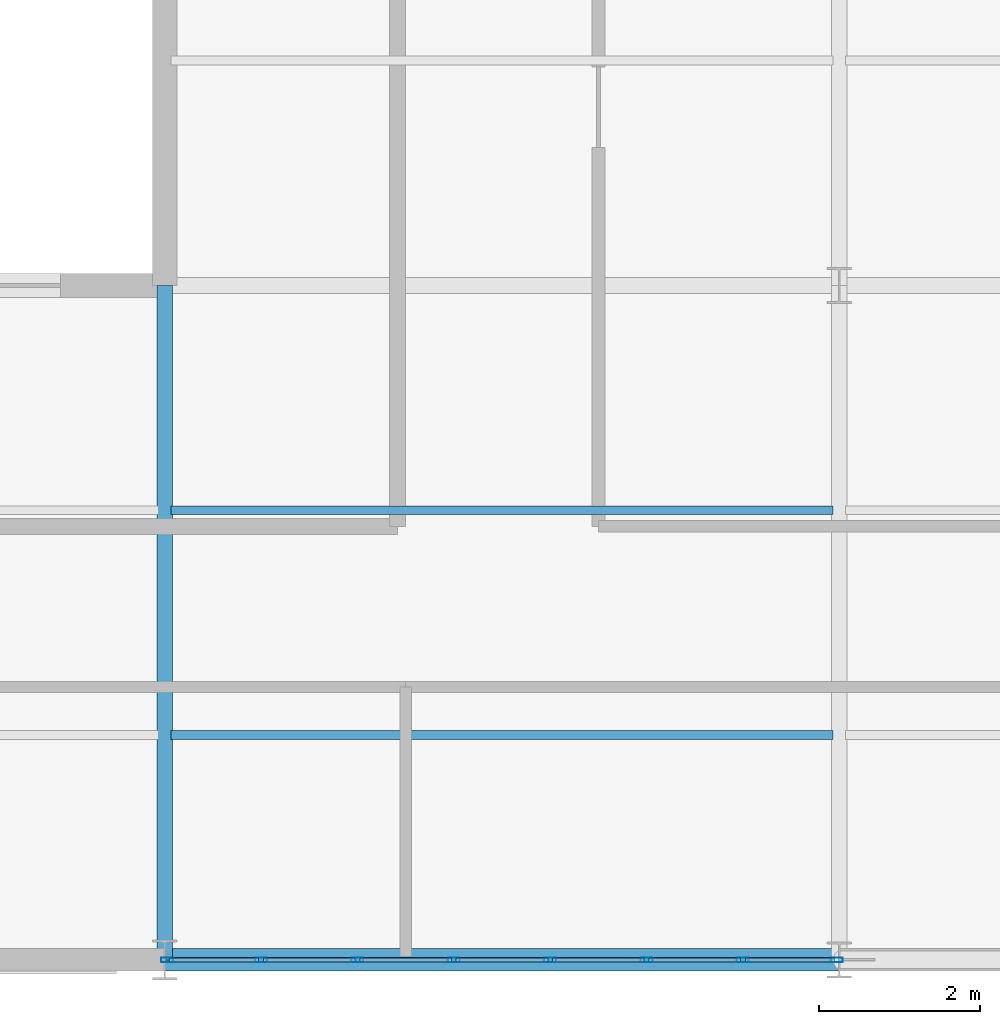
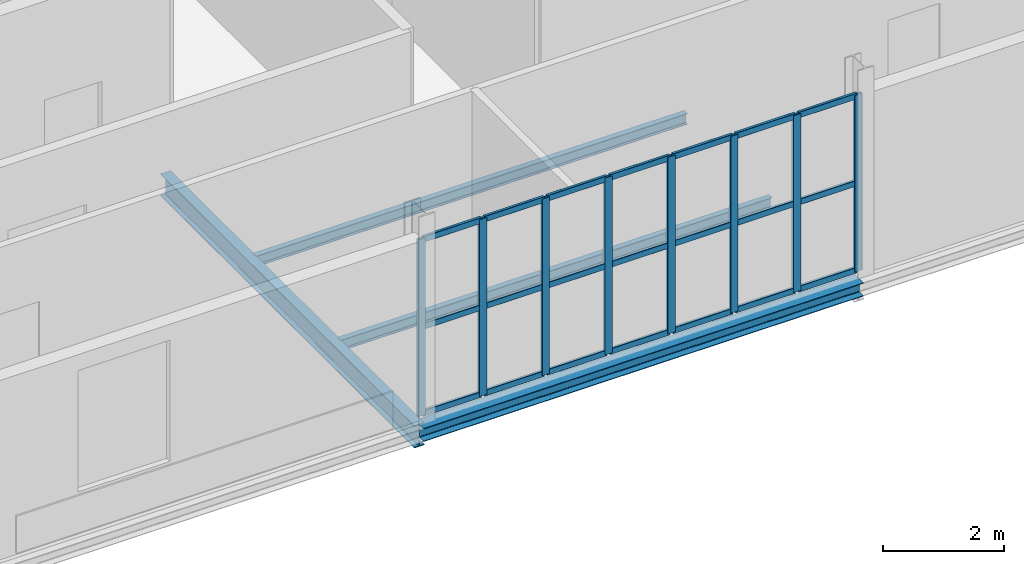
# One storey, part 17 of 65: 29 members, 4 beams, 1 element without a shape of its own.
"""IFC4 building model written with IfcOpenShell, lengths in metres."""

from ifc_helpers import new_model, si_unit, direction, frame, origin, origin_2d, place, context, subcontext, project, spatial, hollow_rectangle, i_section, extrude, material, layer, layer_set, material_profile, profile_set, type_object, element, aggregate, save


model = new_model("IFC4")

# Units and contexts
model_context = context("Model", 3, precision=1e-05, world=origin(), true_north=direction((0.0, 1.0)))
body_context = subcontext(model_context, "Body", "Model", "MODEL_VIEW")
ifc_project = project(units=[si_unit("LENGTHUNIT", "METRE"), si_unit("AREAUNIT", "SQUARE_METRE"), si_unit("VOLUMEUNIT", "CUBIC_METRE"), si_unit("PLANEANGLEUNIT", "RADIAN"), si_unit("MASSUNIT", "GRAM", prefix="KILO")], contexts=[model_context])

# Site, building, storey
site_placement = place(None, origin())
site = spatial("IfcSite", under=ifc_project, at=site_placement, CompositionType="ELEMENT")
building_placement = place(site_placement, origin())
building = spatial("IfcBuilding", under=site, at=building_placement, Name="Qalvenar Corner Mobility Hub", CompositionType="ELEMENT")
storey_placement = place(building_placement, frame((0.0, 0.0, 17.39990234375)))
storey = spatial("IfcBuildingStorey", under=building, at=storey_placement, Name="L04", CompositionType="ELEMENT", Elevation=17.39990234375)

# Beams
ifc_material_1 = material(Name="Steel S355", Category="steel")
ifc_material_profile_1 = material_profile(ifc_material_1, i_section(OverallWidth=0.18994140625, OverallDepth=0.449951171875, WebThickness=0.009521484375, FlangeThickness=0.0146484375, FilletRadius=0.02099609375, at=origin_2d()), Name="IPE450")
ifc_profile_set_1 = profile_set([ifc_material_profile_1], Name="Steel S355")
beam_type_1 = type_object("IfcBeamType", Name="BM-IPE450", PredefinedType="BEAM", material=ifc_profile_set_1)
beam_1_placement = place(storey_placement, frame((16.800048828125, 0.0, -0.40478515625), z_axis=(0.0, 1.0, 0.0), x_axis=(-1.0, 0.0, 0.0)))
element("IfcBeam", 1, at=beam_1_placement, inside=storey, type_object=beam_type_1, Name="Primary Steel Girder GY-2637", PredefinedType="BEAM", context=body_context, shape_type="SweptSolid", body=[
    extrude(i_section(OverallWidth=0.18994140625, OverallDepth=0.449951171875, WebThickness=0.009521484375, FlangeThickness=0.0146484375, FilletRadius=0.02099609375, at=origin_2d()), origin(), (0.0, 0.0, 1.0), 8.39990234375),
])
ifc_material_profile_2 = material_profile(ifc_material_1, i_section(OverallWidth=0.110107421875, OverallDepth=0.219970703125, WebThickness=0.005859375, FlangeThickness=0.00927734375, FilletRadius=0.011962890625, at=origin_2d()), Name="IPE220")
ifc_profile_set_2 = profile_set([ifc_material_profile_2], Name="Steel S355")
beam_type_2 = type_object("IfcBeamType", Name="BM-JST220", PredefinedType="JOIST", material=ifc_profile_set_2)
for number, where, z_axis, x_axis, name in (
    (2, (16.8779296875, 2.800048828125, -0.289794921875), (1.0, 0.0, 0.0), (0.0, 1.0, 0.0), "Composite Floor Joist J-2681"),
    (3, (16.8779296875, 5.60009765625, -0.289794921875), (1.0, 0.0, 0.0), (0.0, 1.0, 0.0), "Composite Floor Joist J-2682"),
):
    element("IfcBeam", number, at=place(storey_placement, frame(where, z_axis=z_axis, x_axis=x_axis)), inside=storey, type_object=beam_type_2, Name=name, PredefinedType="JOIST", context=body_context, shape_type="SweptSolid", body=[
        extrude(i_section(OverallWidth=0.110107421875, OverallDepth=0.219970703125, WebThickness=0.005859375, FlangeThickness=0.00927734375, FilletRadius=0.011962890625, at=origin_2d()), origin(), (0.0, 0.0, 1.0), 8.244140625),
    ])
ifc_material_profile_3 = material_profile(ifc_material_1, i_section(OverallWidth=0.280029296875, OverallDepth=0.27001953125, WebThickness=0.008056640625, FlangeThickness=0.012939453125, FilletRadius=0.02392578125, at=origin_2d()), Name="HEA280")
ifc_profile_set_3 = profile_set([ifc_material_profile_3], Name="Steel S355")
beam_type_3 = type_object("IfcBeamType", Name="BM-SPN280", PredefinedType="SPANDREL", material=ifc_profile_set_3)
beam_2_placement = place(storey_placement, frame((16.800048828125, 0.0, -0.31494140625), z_axis=(1.0, 0.0, 0.0), x_axis=(0.0, 1.0, 0.0)))
element("IfcBeam", 4, at=beam_2_placement, inside=storey, type_object=beam_type_3, Name="Primary Steel Girder GX-2593", PredefinedType="SPANDREL", context=body_context, shape_type="SweptSolid", body=[
    extrude(i_section(OverallWidth=0.280029296875, OverallDepth=0.27001953125, WebThickness=0.008056640625, FlangeThickness=0.012939453125, FilletRadius=0.02392578125, at=origin_2d()), origin(), (0.0, 0.0, 1.0), 8.39990234375),
])

# Curtain wall, members
ifc_material_2 = material(Name="Anodised Aluminium and Low-E Glazing", Category="aluminium")
ifc_layer = layer(ifc_material_2, 0.14990234375)
ifc_layer_set = layer_set([ifc_layer], Name="Anodised Aluminium and Low-E Glazing")
curtain_wall_type = type_object("IfcCurtainWallType", Name="CW-CIV-84X40", PredefinedType="NOTDEFINED", material=ifc_layer_set)
curtain_wall_placement = place(storey_placement, origin())
curtain_wall = element("IfcCurtainWall", 5, at=curtain_wall_placement, inside=storey, type_object=curtain_wall_type, Name="Glazed Curtain Wall CW-V3-L04-S2", PredefinedType="NOTDEFINED")
ifc_material_3 = material(Name="Anodised Aluminium 6063-T6", Category="aluminium")
ifc_material_profile_4 = material_profile(ifc_material_3, hollow_rectangle(XDim=0.06005859375, YDim=0.14990234375, WallThickness=0.00390625, InnerFilletRadius=0.00390625, OuterFilletRadius=0.008056640625, at=origin_2d()), Name="RHS150x60x4")
ifc_profile_set_4 = profile_set([ifc_material_profile_4], Name="Anodised Aluminium 6063-T6")
member_type_1 = type_object("IfcMemberType", Name="CW-MUL150", PredefinedType="MULLION", material=ifc_profile_set_4)
member_1_placement = place(storey_placement, frame((16.830078125, 0.0, 0.0), z_axis=(0.0, 0.0, 1.0), x_axis=(0.0, 1.0, 0.0)))
member_1 = element("IfcMember", 6, at=member_1_placement, type_object=member_type_1, Name="CW-05 mullion 1", PredefinedType="MULLION", context=body_context, shape_type="SweptSolid", body=[
    extrude(hollow_rectangle(XDim=0.06005859375, YDim=0.14990234375, WallThickness=0.00390625, InnerFilletRadius=0.00390625, OuterFilletRadius=0.008056640625, at=origin_2d()), origin(), (0.0, 0.0, 1.0), 3.570068359375),
])
member_2_placement = place(storey_placement, frame((18.0, 0.0, 0.0), z_axis=(0.0, 0.0, 1.0), x_axis=(0.0, 1.0, 0.0)))
member_2 = element("IfcMember", 7, at=member_2_placement, type_object=member_type_1, Name="CW-05 mullion 2", PredefinedType="MULLION", context=body_context, shape_type="SweptSolid", body=[
    extrude(hollow_rectangle(XDim=0.06005859375, YDim=0.14990234375, WallThickness=0.00390625, InnerFilletRadius=0.00390625, OuterFilletRadius=0.008056640625, at=origin_2d()), origin(), (0.0, 0.0, 1.0), 3.570068359375),
])
member_3_placement = place(storey_placement, frame((19.199951171875, 0.0, 0.0), z_axis=(0.0, 0.0, 1.0), x_axis=(0.0, 1.0, 0.0)))
member_3 = element("IfcMember", 8, at=member_3_placement, type_object=member_type_1, Name="CW-05 mullion 3", PredefinedType="MULLION", context=body_context, shape_type="SweptSolid", body=[
    extrude(hollow_rectangle(XDim=0.06005859375, YDim=0.14990234375, WallThickness=0.00390625, InnerFilletRadius=0.00390625, OuterFilletRadius=0.008056640625, at=origin_2d()), origin(), (0.0, 0.0, 1.0), 3.570068359375),
])
member_4_placement = place(storey_placement, frame((20.39990234375, 0.0, 0.0), z_axis=(0.0, 0.0, 1.0), x_axis=(0.0, 1.0, 0.0)))
member_4 = element("IfcMember", 9, at=member_4_placement, type_object=member_type_1, Name="CW-05 mullion 4", PredefinedType="MULLION", context=body_context, shape_type="SweptSolid", body=[
    extrude(hollow_rectangle(XDim=0.06005859375, YDim=0.14990234375, WallThickness=0.00390625, InnerFilletRadius=0.00390625, OuterFilletRadius=0.008056640625, at=origin_2d()), origin(), (0.0, 0.0, 1.0), 3.570068359375),
])
member_5_placement = place(storey_placement, frame((21.60009765625, 0.0, 0.0), z_axis=(0.0, 0.0, 1.0), x_axis=(0.0, 1.0, 0.0)))
member_5 = element("IfcMember", 10, at=member_5_placement, type_object=member_type_1, Name="CW-05 mullion 5", PredefinedType="MULLION", context=body_context, shape_type="SweptSolid", body=[
    extrude(hollow_rectangle(XDim=0.06005859375, YDim=0.14990234375, WallThickness=0.00390625, InnerFilletRadius=0.00390625, OuterFilletRadius=0.008056640625, at=origin_2d()), origin(), (0.0, 0.0, 1.0), 3.570068359375),
])
member_6_placement = place(storey_placement, frame((22.800048828125, 0.0, 0.0), z_axis=(0.0, 0.0, 1.0), x_axis=(0.0, 1.0, 0.0)))
member_6 = element("IfcMember", 11, at=member_6_placement, type_object=member_type_1, Name="CW-05 mullion 6", PredefinedType="MULLION", context=body_context, shape_type="SweptSolid", body=[
    extrude(hollow_rectangle(XDim=0.06005859375, YDim=0.14990234375, WallThickness=0.00390625, InnerFilletRadius=0.00390625, OuterFilletRadius=0.008056640625, at=origin_2d()), origin(), (0.0, 0.0, 1.0), 3.570068359375),
])
member_7_placement = place(storey_placement, frame((24.0, 0.0, 0.0), z_axis=(0.0, 0.0, 1.0), x_axis=(0.0, 1.0, 0.0)))
member_7 = element("IfcMember", 12, at=member_7_placement, type_object=member_type_1, Name="CW-05 mullion 7", PredefinedType="MULLION", context=body_context, shape_type="SweptSolid", body=[
    extrude(hollow_rectangle(XDim=0.06005859375, YDim=0.14990234375, WallThickness=0.00390625, InnerFilletRadius=0.00390625, OuterFilletRadius=0.008056640625, at=origin_2d()), origin(), (0.0, 0.0, 1.0), 3.570068359375),
])
member_8_placement = place(storey_placement, frame((25.169921875, 0.0, 0.0), z_axis=(0.0, 0.0, 1.0), x_axis=(0.0, 1.0, 0.0)))
member_8 = element("IfcMember", 13, at=member_8_placement, type_object=member_type_1, Name="CW-05 mullion 8", PredefinedType="MULLION", context=body_context, shape_type="SweptSolid", body=[
    extrude(hollow_rectangle(XDim=0.06005859375, YDim=0.14990234375, WallThickness=0.00390625, InnerFilletRadius=0.00390625, OuterFilletRadius=0.008056640625, at=origin_2d()), origin(), (0.0, 0.0, 1.0), 3.570068359375),
])
ifc_material_profile_5 = material_profile(ifc_material_3, hollow_rectangle(XDim=0.054931640625, YDim=0.1201171875, WallThickness=0.00341796875, InnerFilletRadius=0.00341796875, OuterFilletRadius=0.007080078125, at=origin_2d()), Name="RHS120x55x3.5")
ifc_profile_set_5 = profile_set([ifc_material_profile_5], Name="Anodised Aluminium 6063-T6")
member_type_2 = type_object("IfcMemberType", Name="CW-TRN120", PredefinedType="USERDEFINED", material=ifc_profile_set_5)
member_9_placement = place(storey_placement, frame((16.860107421875, 0.0, 0.027587890625), z_axis=(1.0, 0.0, 0.0), x_axis=(0.0, 1.0, 0.0)))
member_9 = element("IfcMember", 14, at=member_9_placement, type_object=member_type_2, Name="CW-05 transom 1.1", ObjectType="TRANSOM", PredefinedType="USERDEFINED", context=body_context, shape_type="SweptSolid", body=[
    extrude(hollow_rectangle(XDim=0.054931640625, YDim=0.1201171875, WallThickness=0.00341796875, InnerFilletRadius=0.00341796875, OuterFilletRadius=0.007080078125, at=origin_2d()), origin(), (0.0, 0.0, 1.0), 1.10986328125),
])
member_10_placement = place(storey_placement, frame((16.860107421875, 0.0, 1.78515625), z_axis=(1.0, 0.0, 0.0), x_axis=(0.0, 1.0, 0.0)))
member_10 = element("IfcMember", 15, at=member_10_placement, type_object=member_type_2, Name="CW-05 transom 1.2", ObjectType="TRANSOM", PredefinedType="USERDEFINED", context=body_context, shape_type="SweptSolid", body=[
    extrude(hollow_rectangle(XDim=0.054931640625, YDim=0.1201171875, WallThickness=0.00341796875, InnerFilletRadius=0.00341796875, OuterFilletRadius=0.007080078125, at=origin_2d()), origin(), (0.0, 0.0, 1.0), 1.10986328125),
])
member_11_placement = place(storey_placement, frame((16.860107421875, 0.0, 3.54248046875), z_axis=(1.0, 0.0, 0.0), x_axis=(0.0, 1.0, 0.0)))
member_11 = element("IfcMember", 16, at=member_11_placement, type_object=member_type_2, Name="CW-05 transom 1.3", ObjectType="TRANSOM", PredefinedType="USERDEFINED", context=body_context, shape_type="SweptSolid", body=[
    extrude(hollow_rectangle(XDim=0.054931640625, YDim=0.1201171875, WallThickness=0.00341796875, InnerFilletRadius=0.00341796875, OuterFilletRadius=0.007080078125, at=origin_2d()), origin(), (0.0, 0.0, 1.0), 1.10986328125),
])
member_12_placement = place(storey_placement, frame((18.030029296875, 0.0, 0.027587890625), z_axis=(1.0, 0.0, 0.0), x_axis=(0.0, 1.0, 0.0)))
member_12 = element("IfcMember", 17, at=member_12_placement, type_object=member_type_2, Name="CW-05 transom 2.1", ObjectType="TRANSOM", PredefinedType="USERDEFINED", context=body_context, shape_type="SweptSolid", body=[
    extrude(hollow_rectangle(XDim=0.054931640625, YDim=0.1201171875, WallThickness=0.00341796875, InnerFilletRadius=0.00341796875, OuterFilletRadius=0.007080078125, at=origin_2d()), origin(), (0.0, 0.0, 1.0), 1.139892578125),
])
member_13_placement = place(storey_placement, frame((18.030029296875, 0.0, 1.78515625), z_axis=(1.0, 0.0, 0.0), x_axis=(0.0, 1.0, 0.0)))
member_13 = element("IfcMember", 18, at=member_13_placement, type_object=member_type_2, Name="CW-05 transom 2.2", ObjectType="TRANSOM", PredefinedType="USERDEFINED", context=body_context, shape_type="SweptSolid", body=[
    extrude(hollow_rectangle(XDim=0.054931640625, YDim=0.1201171875, WallThickness=0.00341796875, InnerFilletRadius=0.00341796875, OuterFilletRadius=0.007080078125, at=origin_2d()), origin(), (0.0, 0.0, 1.0), 1.139892578125),
])
member_14_placement = place(storey_placement, frame((18.030029296875, 0.0, 3.54248046875), z_axis=(1.0, 0.0, 0.0), x_axis=(0.0, 1.0, 0.0)))
member_14 = element("IfcMember", 19, at=member_14_placement, type_object=member_type_2, Name="CW-05 transom 2.3", ObjectType="TRANSOM", PredefinedType="USERDEFINED", context=body_context, shape_type="SweptSolid", body=[
    extrude(hollow_rectangle(XDim=0.054931640625, YDim=0.1201171875, WallThickness=0.00341796875, InnerFilletRadius=0.00341796875, OuterFilletRadius=0.007080078125, at=origin_2d()), origin(), (0.0, 0.0, 1.0), 1.139892578125),
])
member_15_placement = place(storey_placement, frame((19.22998046875, 0.0, 0.027587890625), z_axis=(1.0, 0.0, 0.0), x_axis=(0.0, 1.0, 0.0)))
member_15 = element("IfcMember", 20, at=member_15_placement, type_object=member_type_2, Name="CW-05 transom 3.1", ObjectType="TRANSOM", PredefinedType="USERDEFINED", context=body_context, shape_type="SweptSolid", body=[
    extrude(hollow_rectangle(XDim=0.054931640625, YDim=0.1201171875, WallThickness=0.00341796875, InnerFilletRadius=0.00341796875, OuterFilletRadius=0.007080078125, at=origin_2d()), origin(), (0.0, 0.0, 1.0), 1.14013671875),
])
member_16_placement = place(storey_placement, frame((19.22998046875, 0.0, 1.78515625), z_axis=(1.0, 0.0, 0.0), x_axis=(0.0, 1.0, 0.0)))
member_16 = element("IfcMember", 21, at=member_16_placement, type_object=member_type_2, Name="CW-05 transom 3.2", ObjectType="TRANSOM", PredefinedType="USERDEFINED", context=body_context, shape_type="SweptSolid", body=[
    extrude(hollow_rectangle(XDim=0.054931640625, YDim=0.1201171875, WallThickness=0.00341796875, InnerFilletRadius=0.00341796875, OuterFilletRadius=0.007080078125, at=origin_2d()), origin(), (0.0, 0.0, 1.0), 1.14013671875),
])
member_17_placement = place(storey_placement, frame((19.22998046875, 0.0, 3.54248046875), z_axis=(1.0, 0.0, 0.0), x_axis=(0.0, 1.0, 0.0)))
member_17 = element("IfcMember", 22, at=member_17_placement, type_object=member_type_2, Name="CW-05 transom 3.3", ObjectType="TRANSOM", PredefinedType="USERDEFINED", context=body_context, shape_type="SweptSolid", body=[
    extrude(hollow_rectangle(XDim=0.054931640625, YDim=0.1201171875, WallThickness=0.00341796875, InnerFilletRadius=0.00341796875, OuterFilletRadius=0.007080078125, at=origin_2d()), origin(), (0.0, 0.0, 1.0), 1.14013671875),
])
member_18_placement = place(storey_placement, frame((20.429931640625, 0.0, 0.027587890625), z_axis=(1.0, 0.0, 0.0), x_axis=(0.0, 1.0, 0.0)))
member_18 = element("IfcMember", 23, at=member_18_placement, type_object=member_type_2, Name="CW-05 transom 4.1", ObjectType="TRANSOM", PredefinedType="USERDEFINED", context=body_context, shape_type="SweptSolid", body=[
    extrude(hollow_rectangle(XDim=0.054931640625, YDim=0.1201171875, WallThickness=0.00341796875, InnerFilletRadius=0.00341796875, OuterFilletRadius=0.007080078125, at=origin_2d()), origin(), (0.0, 0.0, 1.0), 1.14013671875),
])
member_19_placement = place(storey_placement, frame((20.429931640625, 0.0, 1.78515625), z_axis=(1.0, 0.0, 0.0), x_axis=(0.0, 1.0, 0.0)))
member_19 = element("IfcMember", 24, at=member_19_placement, type_object=member_type_2, Name="CW-05 transom 4.2", ObjectType="TRANSOM", PredefinedType="USERDEFINED", context=body_context, shape_type="SweptSolid", body=[
    extrude(hollow_rectangle(XDim=0.054931640625, YDim=0.1201171875, WallThickness=0.00341796875, InnerFilletRadius=0.00341796875, OuterFilletRadius=0.007080078125, at=origin_2d()), origin(), (0.0, 0.0, 1.0), 1.14013671875),
])
member_20_placement = place(storey_placement, frame((20.429931640625, 0.0, 3.54248046875), z_axis=(1.0, 0.0, 0.0), x_axis=(0.0, 1.0, 0.0)))
member_20 = element("IfcMember", 25, at=member_20_placement, type_object=member_type_2, Name="CW-05 transom 4.3", ObjectType="TRANSOM", PredefinedType="USERDEFINED", context=body_context, shape_type="SweptSolid", body=[
    extrude(hollow_rectangle(XDim=0.054931640625, YDim=0.1201171875, WallThickness=0.00341796875, InnerFilletRadius=0.00341796875, OuterFilletRadius=0.007080078125, at=origin_2d()), origin(), (0.0, 0.0, 1.0), 1.14013671875),
])
member_21_placement = place(storey_placement, frame((21.6298828125, 0.0, 0.027587890625), z_axis=(1.0, 0.0, 0.0), x_axis=(0.0, 1.0, 0.0)))
member_21 = element("IfcMember", 26, at=member_21_placement, type_object=member_type_2, Name="CW-05 transom 5.1", ObjectType="TRANSOM", PredefinedType="USERDEFINED", context=body_context, shape_type="SweptSolid", body=[
    extrude(hollow_rectangle(XDim=0.054931640625, YDim=0.1201171875, WallThickness=0.00341796875, InnerFilletRadius=0.00341796875, OuterFilletRadius=0.007080078125, at=origin_2d()), origin(), (0.0, 0.0, 1.0), 1.14013671875),
])
member_22_placement = place(storey_placement, frame((21.6298828125, 0.0, 1.78515625), z_axis=(1.0, 0.0, 0.0), x_axis=(0.0, 1.0, 0.0)))
member_22 = element("IfcMember", 27, at=member_22_placement, type_object=member_type_2, Name="CW-05 transom 5.2", ObjectType="TRANSOM", PredefinedType="USERDEFINED", context=body_context, shape_type="SweptSolid", body=[
    extrude(hollow_rectangle(XDim=0.054931640625, YDim=0.1201171875, WallThickness=0.00341796875, InnerFilletRadius=0.00341796875, OuterFilletRadius=0.007080078125, at=origin_2d()), origin(), (0.0, 0.0, 1.0), 1.14013671875),
])
member_23_placement = place(storey_placement, frame((21.6298828125, 0.0, 3.54248046875), z_axis=(1.0, 0.0, 0.0), x_axis=(0.0, 1.0, 0.0)))
member_23 = element("IfcMember", 28, at=member_23_placement, type_object=member_type_2, Name="CW-05 transom 5.3", ObjectType="TRANSOM", PredefinedType="USERDEFINED", context=body_context, shape_type="SweptSolid", body=[
    extrude(hollow_rectangle(XDim=0.054931640625, YDim=0.1201171875, WallThickness=0.00341796875, InnerFilletRadius=0.00341796875, OuterFilletRadius=0.007080078125, at=origin_2d()), origin(), (0.0, 0.0, 1.0), 1.14013671875),
])
member_24_placement = place(storey_placement, frame((22.830078125, 0.0, 0.027587890625), z_axis=(1.0, 0.0, 0.0), x_axis=(0.0, 1.0, 0.0)))
member_24 = element("IfcMember", 29, at=member_24_placement, type_object=member_type_2, Name="CW-05 transom 6.1", ObjectType="TRANSOM", PredefinedType="USERDEFINED", context=body_context, shape_type="SweptSolid", body=[
    extrude(hollow_rectangle(XDim=0.054931640625, YDim=0.1201171875, WallThickness=0.00341796875, InnerFilletRadius=0.00341796875, OuterFilletRadius=0.007080078125, at=origin_2d()), origin(), (0.0, 0.0, 1.0), 1.139892578125),
])
member_25_placement = place(storey_placement, frame((22.830078125, 0.0, 1.78515625), z_axis=(1.0, 0.0, 0.0), x_axis=(0.0, 1.0, 0.0)))
member_25 = element("IfcMember", 30, at=member_25_placement, type_object=member_type_2, Name="CW-05 transom 6.2", ObjectType="TRANSOM", PredefinedType="USERDEFINED", context=body_context, shape_type="SweptSolid", body=[
    extrude(hollow_rectangle(XDim=0.054931640625, YDim=0.1201171875, WallThickness=0.00341796875, InnerFilletRadius=0.00341796875, OuterFilletRadius=0.007080078125, at=origin_2d()), origin(), (0.0, 0.0, 1.0), 1.139892578125),
])
member_26_placement = place(storey_placement, frame((22.830078125, 0.0, 3.54248046875), z_axis=(1.0, 0.0, 0.0), x_axis=(0.0, 1.0, 0.0)))
member_26 = element("IfcMember", 31, at=member_26_placement, type_object=member_type_2, Name="CW-05 transom 6.3", ObjectType="TRANSOM", PredefinedType="USERDEFINED", context=body_context, shape_type="SweptSolid", body=[
    extrude(hollow_rectangle(XDim=0.054931640625, YDim=0.1201171875, WallThickness=0.00341796875, InnerFilletRadius=0.00341796875, OuterFilletRadius=0.007080078125, at=origin_2d()), origin(), (0.0, 0.0, 1.0), 1.139892578125),
])
member_27_placement = place(storey_placement, frame((24.030029296875, 0.0, 0.027587890625), z_axis=(1.0, 0.0, 0.0), x_axis=(0.0, 1.0, 0.0)))
member_27 = element("IfcMember", 32, at=member_27_placement, type_object=member_type_2, Name="CW-05 transom 7.1", ObjectType="TRANSOM", PredefinedType="USERDEFINED", context=body_context, shape_type="SweptSolid", body=[
    extrude(hollow_rectangle(XDim=0.054931640625, YDim=0.1201171875, WallThickness=0.00341796875, InnerFilletRadius=0.00341796875, OuterFilletRadius=0.007080078125, at=origin_2d()), origin(), (0.0, 0.0, 1.0), 1.10986328125),
])
member_28_placement = place(storey_placement, frame((24.030029296875, 0.0, 1.78515625), z_axis=(1.0, 0.0, 0.0), x_axis=(0.0, 1.0, 0.0)))
member_28 = element("IfcMember", 33, at=member_28_placement, type_object=member_type_2, Name="CW-05 transom 7.2", ObjectType="TRANSOM", PredefinedType="USERDEFINED", context=body_context, shape_type="SweptSolid", body=[
    extrude(hollow_rectangle(XDim=0.054931640625, YDim=0.1201171875, WallThickness=0.00341796875, InnerFilletRadius=0.00341796875, OuterFilletRadius=0.007080078125, at=origin_2d()), origin(), (0.0, 0.0, 1.0), 1.10986328125),
])
member_29_placement = place(storey_placement, frame((24.030029296875, 0.0, 3.54248046875), z_axis=(1.0, 0.0, 0.0), x_axis=(0.0, 1.0, 0.0)))
member_29 = element("IfcMember", 34, at=member_29_placement, type_object=member_type_2, Name="CW-05 transom 7.3", ObjectType="TRANSOM", PredefinedType="USERDEFINED", context=body_context, shape_type="SweptSolid", body=[
    extrude(hollow_rectangle(XDim=0.054931640625, YDim=0.1201171875, WallThickness=0.00341796875, InnerFilletRadius=0.00341796875, OuterFilletRadius=0.007080078125, at=origin_2d()), origin(), (0.0, 0.0, 1.0), 1.10986328125),
])
aggregate(curtain_wall, [member_1, member_2, member_3, member_4, member_5, member_6, member_7, member_8, member_9, member_10, member_11, member_12, member_13, member_14, member_15, member_16, member_17, member_18, member_19, member_20, member_21, member_22, member_23, member_24, member_25, member_26, member_27, member_28, member_29])

save(model, "model.ifc")
